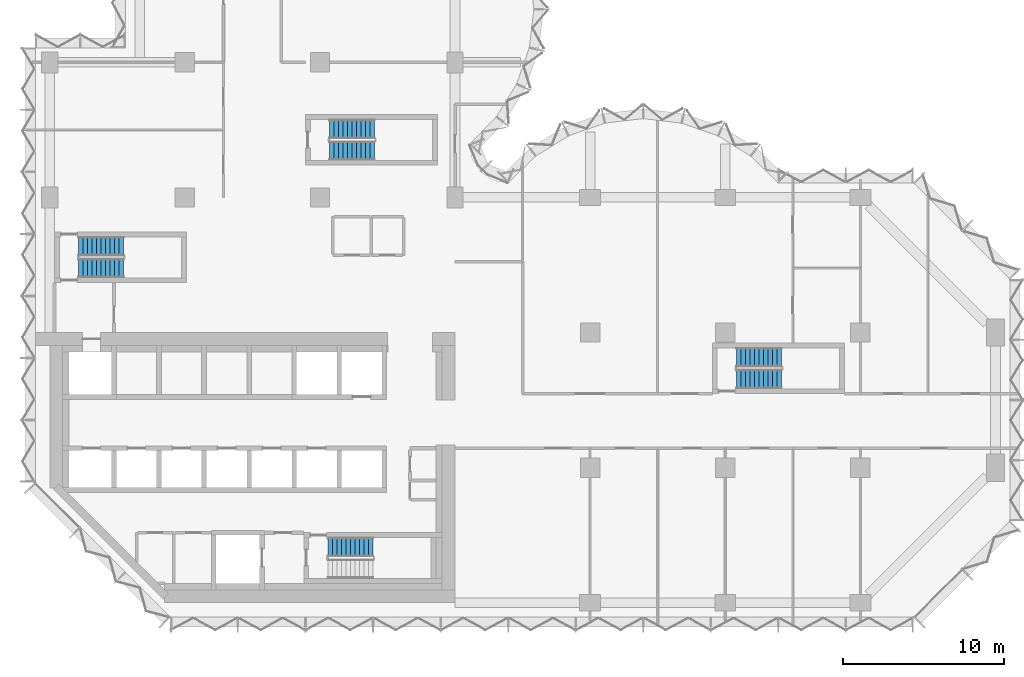
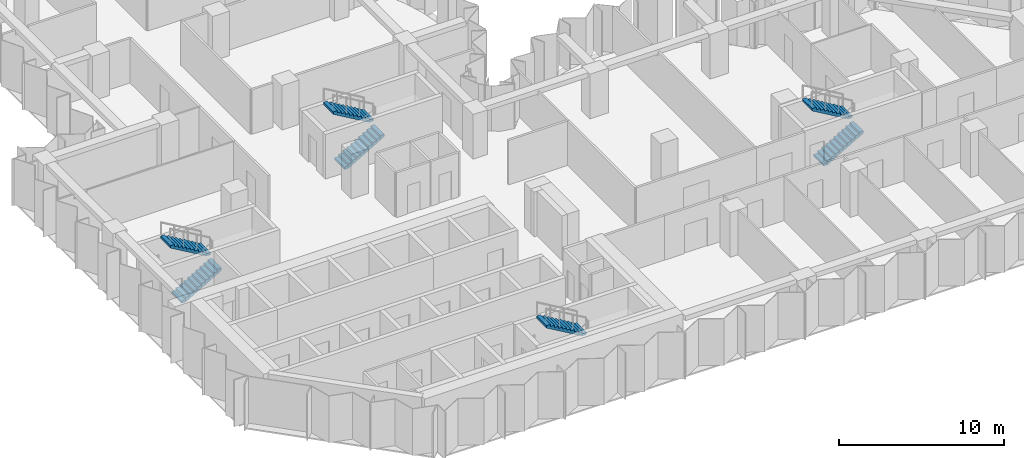
# One storey, part 9 of 11: 7 stair flights, 4 elements without a shape of their own.
"""IFC4 building model written with IfcOpenShell, lengths in metres."""

from ifc_helpers import new_model, si_unit, direction, frame, origin, place, context, subcontext, project, spatial, polyline, outline, extrude, material, type_object, element, aggregate, save


model = new_model("IFC4")

# Units and contexts
model_context = context("Model", 3, precision=1e-05, world=origin(), true_north=direction((0.0, 1.0)))
body_context = subcontext(model_context, "Body", "Model", "MODEL_VIEW")
ifc_project = project(units=[si_unit("LENGTHUNIT", "METRE"), si_unit("AREAUNIT", "SQUARE_METRE"), si_unit("VOLUMEUNIT", "CUBIC_METRE"), si_unit("PLANEANGLEUNIT", "RADIAN"), si_unit("MASSUNIT", "GRAM", prefix="KILO")], contexts=[model_context])

# Site, building, storey
site_placement = place(None, origin())
site = spatial("IfcSite", under=ifc_project, at=site_placement, CompositionType="ELEMENT")
building_placement = place(site_placement, origin())
building = spatial("IfcBuilding", under=site, at=building_placement, Name="Brevane Broadcast Tower", CompositionType="ELEMENT")
storey_placement = place(building_placement, frame((0.0, 0.0, 152.89990234375)))
storey = spatial("IfcBuildingStorey", under=building, at=storey_placement, Name="L38", CompositionType="ELEMENT", Elevation=152.89990234375)

# Stair, stair flights
ifc_material = material(Name="Concrete C50/60", Category="concrete")
stair_type = type_object("IfcStairType", Name="Exit stair 22 risers", PredefinedType="HALF_TURN_STAIR", material=ifc_material)
stair_1_placement = place(storey_placement, origin())
stair_1 = element("IfcStair", 1, at=stair_1_placement, inside=storey, type_object=stair_type, Name="L38 Exit stair ST-1", PredefinedType="HALF_TURN_STAIR")
stair_flight_type = type_object("IfcStairFlightType", Name="Exit stair flight 22 risers", PredefinedType="STRAIGHT", material=ifc_material)
stair_flight_1_placement = place(storey_placement, frame((1.800048828125, 20.800048828125, 0.0), z_axis=(0.0, 0.0, 1.0), x_axis=(1.0, 0.0, 0.0)))
stair_flight_1 = element("IfcStairFlight", 2, at=stair_flight_1_placement, type_object=stair_flight_type, Name="ST-1 flight 1", NumberOfRisers=11, NumberOfTreads=10, PredefinedType="STRAIGHT", RiserHeight=0.163636364, TreadLength=0.28, context=body_context, shape_type="SweptSolid", body=[
    extrude(outline(polyline([(0.0, 0.0), (0.0, 0.16357421875), (0.280029296875, 0.16357421875), (0.280029296875, 0.327392578125), (0.56005859375, 0.327392578125), (0.56005859375, 0.490966796875), (0.840087890625, 0.490966796875), (0.840087890625, 0.654541015625), (1.1201171875, 0.654541015625), (1.1201171875, 0.818115234375), (1.39990234375, 0.818115234375), (1.39990234375, 0.98193359375), (1.679931640625, 0.98193359375), (1.679931640625, 1.1455078125), (1.9599609375, 1.1455078125), (1.9599609375, 1.30908203125), (2.239990234375, 1.30908203125), (2.239990234375, 1.47265625), (2.52001953125, 1.47265625), (2.52001953125, 1.636474609375), (2.800048828125, 1.636474609375), (2.800048828125, 1.800048828125), (2.800048828125, 1.462646484375), (0.297119140625, 0.0), (0.0, 0.0)])), frame((0.0, 0.60009765625, 0.0), z_axis=(0.0, -1.0, 0.0), x_axis=(1.0, 0.0, 0.0)), (0.0, 0.0, 1.0), 1.199951171875),
])
stair_flight_2_placement = place(storey_placement, frame((4.60009765625, 22.14990234375, 1.800048828125), z_axis=(0.0, 0.0, 1.0), x_axis=(-1.0, 0.0, 0.0)))
stair_flight_2 = element("IfcStairFlight", 3, at=stair_flight_2_placement, type_object=stair_flight_type, Name="ST-1 flight 2", NumberOfRisers=11, NumberOfTreads=10, PredefinedType="STRAIGHT", RiserHeight=0.163636364, TreadLength=0.28, context=body_context, shape_type="SweptSolid", body=[
    extrude(outline(polyline([(0.0, 0.0), (0.0, 0.16357421875), (0.280029296875, 0.16357421875), (0.280029296875, 0.327392578125), (0.56005859375, 0.327392578125), (0.56005859375, 0.490966796875), (0.840087890625, 0.490966796875), (0.840087890625, 0.654541015625), (1.1201171875, 0.654541015625), (1.1201171875, 0.818115234375), (1.39990234375, 0.818115234375), (1.39990234375, 0.98193359375), (1.679931640625, 0.98193359375), (1.679931640625, 1.1455078125), (1.9599609375, 1.1455078125), (1.9599609375, 1.30908203125), (2.239990234375, 1.30908203125), (2.239990234375, 1.47265625), (2.52001953125, 1.47265625), (2.52001953125, 1.636474609375), (2.800048828125, 1.636474609375), (2.800048828125, 1.800048828125), (2.800048828125, 1.462646484375), (0.297119140625, 0.0), (0.0, 0.0)])), frame((0.0, 0.60009765625, 0.0), z_axis=(0.0, -1.0, 0.0), x_axis=(1.0, 0.0, 0.0)), (0.0, 0.0, 1.0), 1.199951171875),
])
aggregate(stair_1, [stair_flight_1, stair_flight_2])

# Stair, stair flight
stair_2_placement = place(storey_placement, origin())
stair_2 = element("IfcStair", 4, at=stair_2_placement, inside=storey, type_object=stair_type, Name="L38 Exit stair ST-2", PredefinedType="HALF_TURN_STAIR")
stair_flight_3_placement = place(storey_placement, frame((20.10009765625, 3.449951171875, 1.800048828125), z_axis=(0.0, 0.0, 1.0), x_axis=(-1.0, 0.0, 0.0)))
stair_flight_3 = element("IfcStairFlight", 5, at=stair_flight_3_placement, type_object=stair_flight_type, Name="ST-2 flight 2", NumberOfRisers=11, NumberOfTreads=10, PredefinedType="STRAIGHT", RiserHeight=0.163636364, TreadLength=0.28, context=body_context, shape_type="SweptSolid", body=[
    extrude(outline(polyline([(0.0, 0.0), (0.0, 0.16357421875), (0.280029296875, 0.16357421875), (0.280029296875, 0.327392578125), (0.56005859375, 0.327392578125), (0.56005859375, 0.490966796875), (0.840087890625, 0.490966796875), (0.840087890625, 0.654541015625), (1.1201171875, 0.654541015625), (1.1201171875, 0.818115234375), (1.39990234375, 0.818115234375), (1.39990234375, 0.98193359375), (1.679931640625, 0.98193359375), (1.679931640625, 1.1455078125), (1.9599609375, 1.1455078125), (1.9599609375, 1.30908203125), (2.239990234375, 1.30908203125), (2.239990234375, 1.47265625), (2.52001953125, 1.47265625), (2.52001953125, 1.636474609375), (2.800048828125, 1.636474609375), (2.800048828125, 1.800048828125), (2.800048828125, 1.462646484375), (0.297119140625, 0.0), (0.0, 0.0)])), frame((0.0, 0.60009765625, 0.0), z_axis=(0.0, -1.0, 0.0), x_axis=(1.0, 0.0, 0.0)), (0.0, 0.0, 1.0), 1.199951171875),
])
aggregate(stair_2, [stair_flight_3])

# Stair, stair flights
stair_3_placement = place(storey_placement, origin())
stair_3 = element("IfcStair", 6, at=stair_3_placement, inside=storey, type_object=stair_type, Name="L38 Exit stair ST-3", PredefinedType="HALF_TURN_STAIR")
stair_flight_4_placement = place(storey_placement, frame((17.39990234375, 28.10009765625, 0.0), z_axis=(0.0, 0.0, 1.0), x_axis=(1.0, 0.0, 0.0)))
stair_flight_4 = element("IfcStairFlight", 7, at=stair_flight_4_placement, type_object=stair_flight_type, Name="ST-3 flight 1", NumberOfRisers=11, NumberOfTreads=10, PredefinedType="STRAIGHT", RiserHeight=0.163636364, TreadLength=0.28, context=body_context, shape_type="SweptSolid", body=[
    extrude(outline(polyline([(0.0, 0.0), (0.0, 0.16357421875), (0.280029296875, 0.16357421875), (0.280029296875, 0.327392578125), (0.56005859375, 0.327392578125), (0.56005859375, 0.490966796875), (0.840087890625, 0.490966796875), (0.840087890625, 0.654541015625), (1.1201171875, 0.654541015625), (1.1201171875, 0.818115234375), (1.39990234375, 0.818115234375), (1.39990234375, 0.98193359375), (1.679931640625, 0.98193359375), (1.679931640625, 1.1455078125), (1.9599609375, 1.1455078125), (1.9599609375, 1.30908203125), (2.239990234375, 1.30908203125), (2.239990234375, 1.47265625), (2.52001953125, 1.47265625), (2.52001953125, 1.636474609375), (2.800048828125, 1.636474609375), (2.800048828125, 1.800048828125), (2.800048828125, 1.462646484375), (0.297119140625, 0.0), (0.0, 0.0)])), frame((0.0, 0.60009765625, 0.0), z_axis=(0.0, -1.0, 0.0), x_axis=(1.0, 0.0, 0.0)), (0.0, 0.0, 1.0), 1.199951171875),
])
stair_flight_5_placement = place(storey_placement, frame((20.199951171875, 29.449951171875, 1.800048828125), z_axis=(0.0, 0.0, 1.0), x_axis=(-1.0, 0.0, 0.0)))
stair_flight_5 = element("IfcStairFlight", 8, at=stair_flight_5_placement, type_object=stair_flight_type, Name="ST-3 flight 2", NumberOfRisers=11, NumberOfTreads=10, PredefinedType="STRAIGHT", RiserHeight=0.163636364, TreadLength=0.28, context=body_context, shape_type="SweptSolid", body=[
    extrude(outline(polyline([(0.0, 0.0), (0.0, 0.16357421875), (0.280029296875, 0.16357421875), (0.280029296875, 0.327392578125), (0.56005859375, 0.327392578125), (0.56005859375, 0.490966796875), (0.840087890625, 0.490966796875), (0.840087890625, 0.654541015625), (1.1201171875, 0.654541015625), (1.1201171875, 0.818115234375), (1.39990234375, 0.818115234375), (1.39990234375, 0.98193359375), (1.679931640625, 0.98193359375), (1.679931640625, 1.1455078125), (1.9599609375, 1.1455078125), (1.9599609375, 1.30908203125), (2.239990234375, 1.30908203125), (2.239990234375, 1.47265625), (2.52001953125, 1.47265625), (2.52001953125, 1.636474609375), (2.800048828125, 1.636474609375), (2.800048828125, 1.800048828125), (2.800048828125, 1.462646484375), (0.297119140625, 0.0), (0.0, 0.0)])), frame((0.0, 0.60009765625, 0.0), z_axis=(0.0, -1.0, 0.0), x_axis=(1.0, 0.0, 0.0)), (0.0, 0.0, 1.0), 1.199951171875),
])
aggregate(stair_3, [stair_flight_4, stair_flight_5])

stair_4_placement = place(storey_placement, origin())
stair_4 = element("IfcStair", 9, at=stair_4_placement, inside=storey, type_object=stair_type, Name="L38 Exit stair ST-4", PredefinedType="HALF_TURN_STAIR")
stair_flight_6_placement = place(storey_placement, frame((42.699951171875, 13.89990234375, 0.0), z_axis=(0.0, 0.0, 1.0), x_axis=(1.0, 0.0, 0.0)))
stair_flight_6 = element("IfcStairFlight", 10, at=stair_flight_6_placement, type_object=stair_flight_type, Name="ST-4 flight 1", NumberOfRisers=11, NumberOfTreads=10, PredefinedType="STRAIGHT", RiserHeight=0.163636364, TreadLength=0.28, context=body_context, shape_type="SweptSolid", body=[
    extrude(outline(polyline([(0.0, 0.0), (0.0, 0.16357421875), (0.280029296875, 0.16357421875), (0.280029296875, 0.327392578125), (0.56005859375, 0.327392578125), (0.56005859375, 0.490966796875), (0.840087890625, 0.490966796875), (0.840087890625, 0.654541015625), (1.1201171875, 0.654541015625), (1.1201171875, 0.818115234375), (1.39990234375, 0.818115234375), (1.39990234375, 0.98193359375), (1.679931640625, 0.98193359375), (1.679931640625, 1.1455078125), (1.9599609375, 1.1455078125), (1.9599609375, 1.30908203125), (2.239990234375, 1.30908203125), (2.239990234375, 1.47265625), (2.52001953125, 1.47265625), (2.52001953125, 1.636474609375), (2.800048828125, 1.636474609375), (2.800048828125, 1.800048828125), (2.800048828125, 1.462646484375), (0.297119140625, 0.0), (0.0, 0.0)])), frame((0.0, 0.60009765625, 0.0), z_axis=(0.0, -1.0, 0.0), x_axis=(1.0, 0.0, 0.0)), (0.0, 0.0, 1.0), 1.199951171875),
])
stair_flight_7_placement = place(storey_placement, frame((45.5, 15.25, 1.800048828125), z_axis=(0.0, 0.0, 1.0), x_axis=(-1.0, 0.0, 0.0)))
stair_flight_7 = element("IfcStairFlight", 11, at=stair_flight_7_placement, type_object=stair_flight_type, Name="ST-4 flight 2", NumberOfRisers=11, NumberOfTreads=10, PredefinedType="STRAIGHT", RiserHeight=0.163636364, TreadLength=0.28, context=body_context, shape_type="SweptSolid", body=[
    extrude(outline(polyline([(0.0, 0.0), (0.0, 0.16357421875), (0.280029296875, 0.16357421875), (0.280029296875, 0.327392578125), (0.56005859375, 0.327392578125), (0.56005859375, 0.490966796875), (0.840087890625, 0.490966796875), (0.840087890625, 0.654541015625), (1.1201171875, 0.654541015625), (1.1201171875, 0.818115234375), (1.39990234375, 0.818115234375), (1.39990234375, 0.98193359375), (1.679931640625, 0.98193359375), (1.679931640625, 1.1455078125), (1.9599609375, 1.1455078125), (1.9599609375, 1.30908203125), (2.239990234375, 1.30908203125), (2.239990234375, 1.47265625), (2.52001953125, 1.47265625), (2.52001953125, 1.636474609375), (2.800048828125, 1.636474609375), (2.800048828125, 1.800048828125), (2.800048828125, 1.462646484375), (0.297119140625, 0.0), (0.0, 0.0)])), frame((0.0, 0.60009765625, 0.0), z_axis=(0.0, -1.0, 0.0), x_axis=(1.0, 0.0, 0.0)), (0.0, 0.0, 1.0), 1.199951171875),
])
aggregate(stair_4, [stair_flight_6, stair_flight_7])

save(model, "model.ifc")
